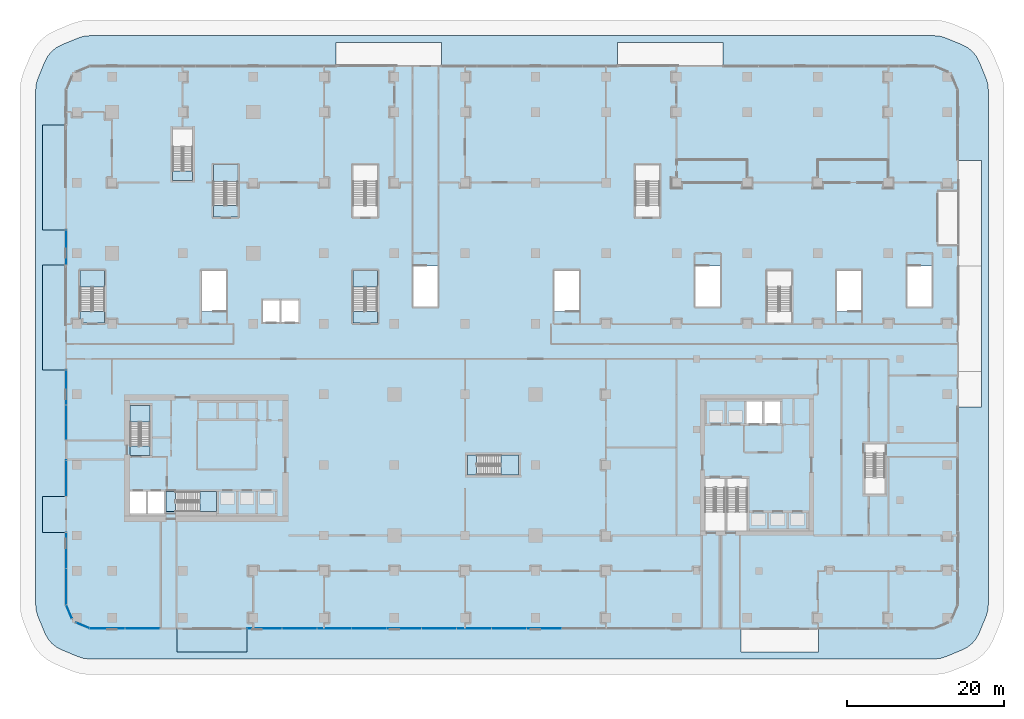
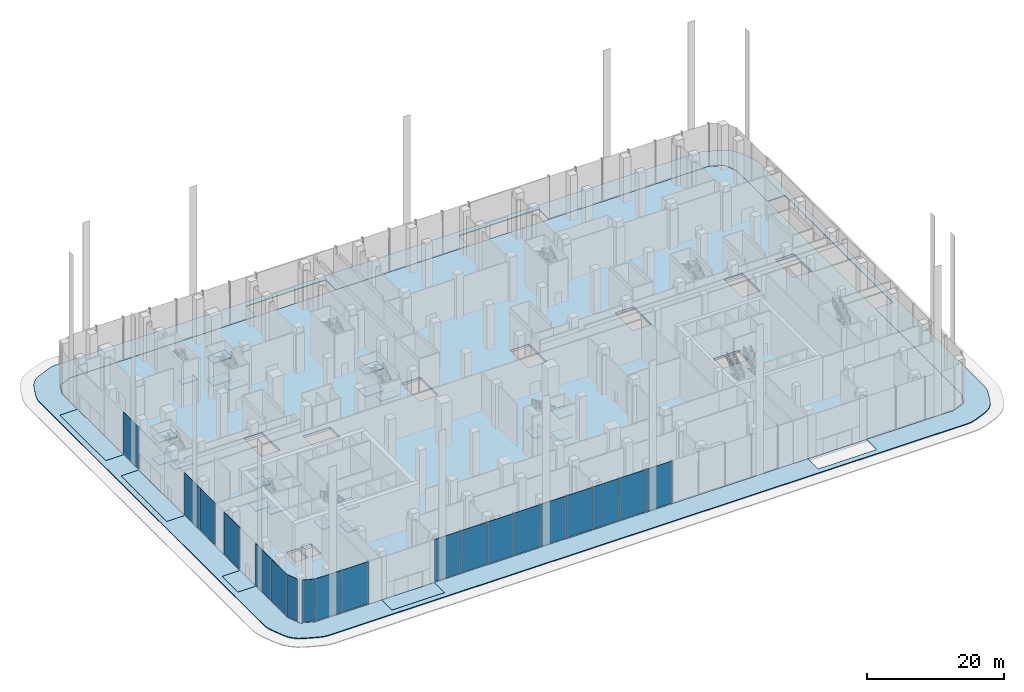
# One storey, part 14 of 42: 25 slabs, 19 plates, 15 elements without a shape of their own.
"""IFC4 building model written with IfcOpenShell, lengths in metres."""

from ifc_helpers import new_model, si_unit, direction, frame, origin, origin_2d, place, context, subcontext, project, spatial, polyline, rectangle, outline, extrude, material, layer, layer_set, type_object, element, aggregate, save


model = new_model("IFC4")

# Units and contexts
model_context = context("Model", 3, precision=1e-05, world=origin(), true_north=direction((0.0, 1.0)))
body_context = subcontext(model_context, "Body", "Model", "MODEL_VIEW")
ifc_project = project(units=[si_unit("LENGTHUNIT", "METRE"), si_unit("AREAUNIT", "SQUARE_METRE"), si_unit("VOLUMEUNIT", "CUBIC_METRE"), si_unit("PLANEANGLEUNIT", "RADIAN"), si_unit("MASSUNIT", "GRAM", prefix="KILO")], contexts=[model_context])

# Site, building, storey
site_placement = place(None, origin())
site = spatial("IfcSite", under=ifc_project, at=site_placement, CompositionType="ELEMENT")
building_placement = place(site_placement, origin())
building = spatial("IfcBuilding", under=site, at=building_placement, Name="Plateau Cross Towers", CompositionType="ELEMENT")
storey_placement = place(building_placement, origin())
storey = spatial("IfcBuildingStorey", under=building, at=storey_placement, Name="L00", CompositionType="ELEMENT", Elevation=0.0)

# Slabs
ifc_material_1 = material(Name="Concrete C30/37", Category="concrete")
ifc_layer_1 = layer(ifc_material_1, 0.14990234375)
ifc_layer_set_1 = layer_set([ifc_layer_1], Name="Concrete C30/37")
slab_type_1 = type_object("IfcSlabType", Name="Entrance apron paving 150", PredefinedType="FLOOR", material=ifc_layer_set_1)
slab_1_placement = place(storey_placement, frame((0.0, 0.0, -0.14990234375)))
element("IfcSlab", 1, at=slab_1_placement, inside=storey, type_object=slab_type_1, Name="Entrance apron station-W1", PredefinedType="FLOOR", context=body_context, shape_type="SweptSolid", body=[
    extrude(outline(polyline([(-5.85009765625, 34.52490234375), (-5.85009765625, 21.1298828125), (-8.85009765625, 21.1298828125), (-8.85009765625, 34.52490234375), (-5.85009765625, 34.52490234375)])), origin(), (0.0, 0.0, 1.0), 0.14990234375),
])
slab_2_placement = place(storey_placement, frame((0.0, 0.0, -0.14990234375)))
element("IfcSlab", 2, at=slab_2_placement, inside=storey, type_object=slab_type_1, Name="Entrance apron station-W2", PredefinedType="FLOOR", context=body_context, shape_type="SweptSolid", body=[
    extrude(outline(polyline([(-5.85009765625, 52.385009765625), (-5.85009765625, 38.989990234375), (-8.85009765625, 38.989990234375), (-8.85009765625, 52.385009765625), (-5.85009765625, 52.385009765625)])), origin(), (0.0, 0.0, 1.0), 0.14990234375),
])
slab_3_placement = place(storey_placement, frame((0.0, 0.0, -0.14990234375)))
element("IfcSlab", 3, at=slab_3_placement, inside=storey, type_object=slab_type_1, Name="Entrance apron lobby-A", PredefinedType="FLOOR", context=body_context, shape_type="SweptSolid", body=[
    extrude(outline(polyline([(8.300048828125, -11.85009765625), (17.206787109375, -11.85009765625), (17.206787109375, -14.85009765625), (8.300048828125, -14.85009765625), (8.300048828125, -11.85009765625)])), origin(), (0.0, 0.0, 1.0), 0.14990234375),
])
slab_4_placement = place(storey_placement, frame((0.0, 0.0, -0.14990234375)))
element("IfcSlab", 4, at=slab_4_placement, inside=storey, type_object=slab_type_1, Name="Entrance apron cycle-W", PredefinedType="FLOOR", context=body_context, shape_type="SweptSolid", body=[
    extrude(outline(polyline([(-5.85009765625, 4.987548828125), (-5.85009765625, 0.375), (-8.85009765625, 0.375), (-8.85009765625, 4.987548828125), (-5.85009765625, 4.987548828125)])), origin(), (0.0, 0.0, 1.0), 0.14990234375),
])

# Curtain wall, plates
ifc_material_2 = material(Name="Dark low-iron laminated glass", Category="glass")
ifc_layer_2 = layer(ifc_material_2, 0.300048828125)
ifc_layer_set_2 = layer_set([ifc_layer_2], Name="Dark low-iron laminated glass")
curtain_wall_type = type_object("IfcCurtainWallType", Name="Curtain wall structural silicone CW-C", PredefinedType="NOTDEFINED", material=ifc_layer_set_2)
curtain_wall_1_placement = place(storey_placement, origin())
curtain_wall_1 = element("IfcCurtainWall", 5, at=curtain_wall_1_placement, inside=storey, type_object=curtain_wall_type, Name="ENV/P/L00/P-28_-118", PredefinedType="NOTDEFINED")
ifc_layer_3 = layer(ifc_material_2, 0.0439453125)
ifc_layer_set_3 = layer_set([ifc_layer_3], Name="Dark low-iron laminated glass")
plate_type = type_object("IfcPlateType", Name="Glass panel 44 structural silicone", PredefinedType="CURTAIN_PANEL", material=ifc_layer_set_3)
plate_1_placement = place(storey_placement, frame((-0.612548828125, -11.85009765625, 0.14990234375), z_axis=(0.0, 0.0, 1.0), x_axis=(1.0, 0.0, 0.0)))
plate_1 = element("IfcPlate", 6, at=plate_1_placement, type_object=plate_type, Name="CW-C panel 1", PredefinedType="CURTAIN_PANEL", context=body_context, shape_type="SweptSolid", body=[
    extrude(rectangle(XDim=4.425048828125, YDim=0.0439453125, at=origin_2d()), origin(), (0.0, 0.0, 1.0), 7.5),
])
plate_2_placement = place(storey_placement, frame((3.862548828125, -11.85009765625, 0.14990234375), z_axis=(0.0, 0.0, 1.0), x_axis=(1.0, 0.0, 0.0)))
plate_2 = element("IfcPlate", 7, at=plate_2_placement, type_object=plate_type, Name="CW-C panel 2", PredefinedType="CURTAIN_PANEL", context=body_context, shape_type="SweptSolid", body=[
    extrude(rectangle(XDim=4.425048828125, YDim=0.0439453125, at=origin_2d()), origin(), (0.0, 0.0, 1.0), 7.5),
])
aggregate(curtain_wall_1, [plate_1, plate_2])

curtain_wall_2_placement = place(storey_placement, origin())
curtain_wall_2 = element("IfcCurtainWall", 8, at=curtain_wall_2_placement, inside=storey, type_object=curtain_wall_type, Name="ENV/P/L00/P172_-118", PredefinedType="NOTDEFINED")
plate_3_placement = place(storey_placement, frame((19.433349609375, -11.85009765625, 0.14990234375), z_axis=(0.0, 0.0, 1.0), x_axis=(1.0, 0.0, 0.0)))
plate_3 = element("IfcPlate", 9, at=plate_3_placement, type_object=plate_type, Name="CW-C panel 1", PredefinedType="CURTAIN_PANEL", context=body_context, shape_type="SweptSolid", body=[
    extrude(rectangle(XDim=4.4033203125, YDim=0.0439453125, at=origin_2d()), origin(), (0.0, 0.0, 1.0), 7.5),
])
plate_4_placement = place(storey_placement, frame((23.88671875, -11.85009765625, 0.14990234375), z_axis=(0.0, 0.0, 1.0), x_axis=(1.0, 0.0, 0.0)))
plate_4 = element("IfcPlate", 10, at=plate_4_placement, type_object=plate_type, Name="CW-C panel 2", PredefinedType="CURTAIN_PANEL", context=body_context, shape_type="SweptSolid", body=[
    extrude(rectangle(XDim=4.4033203125, YDim=0.0439453125, at=origin_2d()), origin(), (0.0, 0.0, 1.0), 7.5),
])
plate_5_placement = place(storey_placement, frame((28.340087890625, -11.85009765625, 0.14990234375), z_axis=(0.0, 0.0, 1.0), x_axis=(1.0, 0.0, 0.0)))
plate_5 = element("IfcPlate", 11, at=plate_5_placement, type_object=plate_type, Name="CW-C panel 3", PredefinedType="CURTAIN_PANEL", context=body_context, shape_type="SweptSolid", body=[
    extrude(rectangle(XDim=4.4033203125, YDim=0.0439453125, at=origin_2d()), origin(), (0.0, 0.0, 1.0), 7.5),
])
plate_6_placement = place(storey_placement, frame((32.793212890625, -11.85009765625, 0.14990234375), z_axis=(0.0, 0.0, 1.0), x_axis=(1.0, 0.0, 0.0)))
plate_6 = element("IfcPlate", 12, at=plate_6_placement, type_object=plate_type, Name="CW-C panel 4", PredefinedType="CURTAIN_PANEL", context=body_context, shape_type="SweptSolid", body=[
    extrude(rectangle(XDim=4.4033203125, YDim=0.0439453125, at=origin_2d()), origin(), (0.0, 0.0, 1.0), 7.5),
])
plate_7_placement = place(storey_placement, frame((37.24658203125, -11.85009765625, 0.14990234375), z_axis=(0.0, 0.0, 1.0), x_axis=(1.0, 0.0, 0.0)))
plate_7 = element("IfcPlate", 13, at=plate_7_placement, type_object=plate_type, Name="CW-C panel 5", PredefinedType="CURTAIN_PANEL", context=body_context, shape_type="SweptSolid", body=[
    extrude(rectangle(XDim=4.4033203125, YDim=0.0439453125, at=origin_2d()), origin(), (0.0, 0.0, 1.0), 7.5),
])
plate_8_placement = place(storey_placement, frame((41.699951171875, -11.85009765625, 0.14990234375), z_axis=(0.0, 0.0, 1.0), x_axis=(1.0, 0.0, 0.0)))
plate_8 = element("IfcPlate", 14, at=plate_8_placement, type_object=plate_type, Name="CW-C panel 6", PredefinedType="CURTAIN_PANEL", context=body_context, shape_type="SweptSolid", body=[
    extrude(rectangle(XDim=4.4033203125, YDim=0.0439453125, at=origin_2d()), origin(), (0.0, 0.0, 1.0), 7.5),
])
plate_9_placement = place(storey_placement, frame((46.1533203125, -11.85009765625, 0.14990234375), z_axis=(0.0, 0.0, 1.0), x_axis=(1.0, 0.0, 0.0)))
plate_9 = element("IfcPlate", 15, at=plate_9_placement, type_object=plate_type, Name="CW-C panel 7", PredefinedType="CURTAIN_PANEL", context=body_context, shape_type="SweptSolid", body=[
    extrude(rectangle(XDim=4.4033203125, YDim=0.0439453125, at=origin_2d()), origin(), (0.0, 0.0, 1.0), 7.5),
])
plate_10_placement = place(storey_placement, frame((50.606689453125, -11.85009765625, 0.14990234375), z_axis=(0.0, 0.0, 1.0), x_axis=(1.0, 0.0, 0.0)))
plate_10 = element("IfcPlate", 16, at=plate_10_placement, type_object=plate_type, Name="CW-C panel 8", PredefinedType="CURTAIN_PANEL", context=body_context, shape_type="SweptSolid", body=[
    extrude(rectangle(XDim=4.4033203125, YDim=0.0439453125, at=origin_2d()), origin(), (0.0, 0.0, 1.0), 7.5),
])
plate_11_placement = place(storey_placement, frame((55.06005859375, -11.85009765625, 0.14990234375), z_axis=(0.0, 0.0, 1.0), x_axis=(1.0, 0.0, 0.0)))
plate_11 = element("IfcPlate", 17, at=plate_11_placement, type_object=plate_type, Name="CW-C panel 9", PredefinedType="CURTAIN_PANEL", context=body_context, shape_type="SweptSolid", body=[
    extrude(rectangle(XDim=4.4033203125, YDim=0.0439453125, at=origin_2d()), origin(), (0.0, 0.0, 1.0), 7.5),
])
aggregate(curtain_wall_2, [plate_3, plate_4, plate_5, plate_6, plate_7, plate_8, plate_9, plate_10, plate_11])

# Curtain wall, plate
curtain_wall_3_placement = place(storey_placement, origin())
curtain_wall_3 = element("IfcCurtainWall", 18, at=curtain_wall_3_placement, inside=storey, type_object=curtain_wall_type, Name="ENV/P/L00/P-58_390", PredefinedType="NOTDEFINED")
plate_12_placement = place(storey_placement, frame((-5.85009765625, 36.757568359375, 0.14990234375), z_axis=(0.0, 0.0, 1.0), x_axis=(0.0, -1.0, 0.0)))
plate_12 = element("IfcPlate", 19, at=plate_12_placement, type_object=plate_type, Name="CW-C panel 1", PredefinedType="CURTAIN_PANEL", context=body_context, shape_type="SweptSolid", body=[
    extrude(rectangle(XDim=4.4150390625, YDim=0.0439453125, at=origin_2d()), origin(), (0.0, 0.0, 1.0), 7.5),
])
aggregate(curtain_wall_3, [plate_12])

# Curtain wall, plates
curtain_wall_4_placement = place(storey_placement, origin())
curtain_wall_4 = element("IfcCurtainWall", 20, at=curtain_wall_4_placement, inside=storey, type_object=curtain_wall_type, Name="ENV/P/L00/P-58_211", PredefinedType="NOTDEFINED")
plate_13_placement = place(storey_placement, frame((-5.85009765625, 18.8974609375, 0.14990234375), z_axis=(0.0, 0.0, 1.0), x_axis=(0.0, -1.0, 0.0)))
plate_13 = element("IfcPlate", 21, at=plate_13_placement, type_object=plate_type, Name="CW-C panel 1", PredefinedType="CURTAIN_PANEL", context=body_context, shape_type="SweptSolid", body=[
    extrude(rectangle(XDim=4.4150390625, YDim=0.0439453125, at=origin_2d()), origin(), (0.0, 0.0, 1.0), 7.5),
])
plate_14_placement = place(storey_placement, frame((-5.85009765625, 14.4326171875, 0.14990234375), z_axis=(0.0, 0.0, 1.0), x_axis=(0.0, -1.0, 0.0)))
plate_14 = element("IfcPlate", 22, at=plate_14_placement, type_object=plate_type, Name="CW-C panel 2", PredefinedType="CURTAIN_PANEL", context=body_context, shape_type="SweptSolid", body=[
    extrude(rectangle(XDim=4.4150390625, YDim=0.0439453125, at=origin_2d()), origin(), (0.0, 0.0, 1.0), 7.5),
])
aggregate(curtain_wall_4, [plate_13, plate_14])

# Curtain wall, plate
curtain_wall_5_placement = place(storey_placement, origin())
curtain_wall_5 = element("IfcCurtainWall", 23, at=curtain_wall_5_placement, inside=storey, type_object=curtain_wall_type, Name="ENV/P/L00/P-58_96", PredefinedType="NOTDEFINED")
plate_15_placement = place(storey_placement, frame((-5.85009765625, 7.293701171875, 0.14990234375), z_axis=(0.0, 0.0, 1.0), x_axis=(0.0, -1.0, 0.0)))
plate_15 = element("IfcPlate", 24, at=plate_15_placement, type_object=plate_type, Name="CW-C panel 1", PredefinedType="CURTAIN_PANEL", context=body_context, shape_type="SweptSolid", body=[
    extrude(rectangle(XDim=4.5625, YDim=0.0439453125, at=origin_2d()), origin(), (0.0, 0.0, 1.0), 7.5),
])
aggregate(curtain_wall_5, [plate_15])

# Curtain wall, plates
curtain_wall_6_placement = place(storey_placement, origin())
curtain_wall_6 = element("IfcCurtainWall", 25, at=curtain_wall_6_placement, inside=storey, type_object=curtain_wall_type, Name="ENV/P/L00/P-58_4", PredefinedType="NOTDEFINED")
plate_16_placement = place(storey_placement, frame((-5.85009765625, -1.93115234375, 0.14990234375), z_axis=(0.0, 0.0, 1.0), x_axis=(0.0, -1.0, 0.0)))
plate_16 = element("IfcPlate", 26, at=plate_16_placement, type_object=plate_type, Name="CW-C panel 1", PredefinedType="CURTAIN_PANEL", context=body_context, shape_type="SweptSolid", body=[
    extrude(rectangle(XDim=4.5625, YDim=0.0439453125, at=origin_2d()), origin(), (0.0, 0.0, 1.0), 7.5),
])
plate_17_placement = place(storey_placement, frame((-5.85009765625, -6.543701171875, 0.14990234375), z_axis=(0.0, 0.0, 1.0), x_axis=(0.0, -1.0, 0.0)))
plate_17 = element("IfcPlate", 27, at=plate_17_placement, type_object=plate_type, Name="CW-C panel 2", PredefinedType="CURTAIN_PANEL", context=body_context, shape_type="SweptSolid", body=[
    extrude(rectangle(XDim=4.5625, YDim=0.0439453125, at=origin_2d()), origin(), (0.0, 0.0, 1.0), 7.5),
])
aggregate(curtain_wall_6, [plate_16, plate_17])

# Curtain wall, plate
curtain_wall_7_placement = place(storey_placement, origin())
curtain_wall_7 = element("IfcCurtainWall", 28, at=curtain_wall_7_placement, inside=storey, type_object=curtain_wall_type, Name="ENV/P/L00/P-58_-88", PredefinedType="NOTDEFINED")
plate_18_placement = place(storey_placement, frame((-5.485107421875, -9.731201171875, 0.14990234375), z_axis=(0.0, 0.0, 1.0), x_axis=(0.382683612978, -0.923879457699, 0.0)))
plate_18 = element("IfcPlate", 29, at=plate_18_placement, type_object=plate_type, Name="CW-C panel 1", PredefinedType="CURTAIN_PANEL", context=body_context, shape_type="SweptSolid", body=[
    extrude(rectangle(XDim=1.857666015625, YDim=0.0439453125, at=origin_2d()), origin(), (0.0, 0.0, 1.0), 7.5),
])
aggregate(curtain_wall_7, [plate_18])

curtain_wall_8_placement = place(storey_placement, origin())
curtain_wall_8 = element("IfcCurtainWall", 30, at=curtain_wall_8_placement, inside=storey, type_object=curtain_wall_type, Name="ENV/P/L00/P-46_-111", PredefinedType="NOTDEFINED")
plate_19_placement = place(storey_placement, frame((-3.731201171875, -11.485107421875, 0.14990234375), z_axis=(0.0, 0.0, 1.0), x_axis=(0.923879457699, -0.382683612978, 0.0)))
plate_19 = element("IfcPlate", 31, at=plate_19_placement, type_object=plate_type, Name="CW-C panel 1", PredefinedType="CURTAIN_PANEL", context=body_context, shape_type="SweptSolid", body=[
    extrude(rectangle(XDim=1.857666015625, YDim=0.0439453125, at=origin_2d()), origin(), (0.0, 0.0, 1.0), 7.5),
])
aggregate(curtain_wall_8, [plate_19])

# Slabs
ifc_layer_4 = layer(ifc_material_1, 0.14990234375)
ifc_layer_set_4 = layer_set([ifc_layer_4], Name="Concrete C30/37")
slab_type_2 = type_object("IfcSlabType", Name="Plaza paving 150", PredefinedType="FLOOR", material=ifc_layer_set_4)
slab_5_placement = place(storey_placement, frame((0.0, 0.0, -0.14990234375)))
element("IfcSlab", 32, at=slab_5_placement, inside=storey, type_object=slab_type_2, Name="Plaza paving 1", PredefinedType="FLOOR", context=body_context, shape_type="SweptSolid", body=[
    extrude(outline(polyline([(-7.137939453125, -14.214111328125), (-7.72900390625, -13.72900390625), (-8.214111328125, -13.137939453125), (-8.574462890625, -12.4638671875), (-9.453125, -10.342529296875), (-9.675048828125, -9.61083984375), (-9.75, -8.85009765625), (-9.75, 56.85009765625), (-9.675048828125, 57.61083984375), (-9.453125, 58.342529296875), (-8.574462890625, 60.4638671875), (-8.214111328125, 61.137939453125), (-7.72900390625, 61.72900390625), (-7.137939453125, 62.214111328125), (-6.4638671875, 62.574462890625), (-4.342529296875, 63.453125), (-3.61083984375, 63.675048828125), (-2.85009765625, 63.75), (104.85009765625, 63.75), (105.61083984375, 63.675048828125), (106.342529296875, 63.453125), (108.4638671875, 62.574462890625), (109.137939453125, 62.214111328125), (109.72900390625, 61.72900390625), (110.214111328125, 61.137939453125), (110.574462890625, 60.4638671875), (111.453125, 58.342529296875), (111.675048828125, 57.61083984375), (111.75, 56.85009765625), (111.75, -8.85009765625), (111.675048828125, -9.61083984375), (111.453125, -10.342529296875), (110.574462890625, -12.4638671875), (110.214111328125, -13.137939453125), (109.72900390625, -13.72900390625), (109.137939453125, -14.214111328125), (108.4638671875, -14.574462890625), (106.342529296875, -15.453125), (105.61083984375, -15.675048828125), (104.85009765625, -15.75), (-2.85009765625, -15.75), (-3.61083984375, -15.675048828125), (-4.342529296875, -15.453125), (-6.4638671875, -14.574462890625), (-7.137939453125, -14.214111328125)]), holes=[polyline([(106.971435546875, -10.971435546875), (107.85009765625, -8.85009765625), (107.85009765625, 16.39501953125), (110.85009765625, 16.39501953125), (110.85009765625, 47.860107421875), (107.85009765625, 47.860107421875), (107.85009765625, 56.85009765625), (106.971435546875, 58.971435546875), (104.85009765625, 59.85009765625), (77.925048828125, 59.85009765625), (77.925048828125, 62.85009765625), (64.46240234375, 62.85009765625), (64.46240234375, 59.85009765625), (42.02490234375, 59.85009765625), (42.02490234375, 62.85009765625), (28.5625, 62.85009765625), (28.5625, 59.85009765625), (-2.85009765625, 59.85009765625), (-4.971435546875, 58.971435546875), (-5.85009765625, 56.85009765625), (-5.85009765625, 52.385009765625), (-8.85009765625, 52.385009765625), (-8.85009765625, 38.989990234375), (-5.85009765625, 38.989990234375), (-5.85009765625, 34.52490234375), (-8.85009765625, 34.52490234375), (-8.85009765625, 21.1298828125), (-5.85009765625, 21.1298828125), (-5.85009765625, 4.987548828125), (-8.85009765625, 4.987548828125), (-8.85009765625, 0.375), (-5.85009765625, 0.375), (-5.85009765625, -8.85009765625), (-4.971435546875, -10.971435546875), (-2.85009765625, -11.85009765625), (8.300048828125, -11.85009765625), (8.300048828125, -14.85009765625), (17.206787109375, -14.85009765625), (17.206787109375, -11.85009765625), (80.199951171875, -11.85009765625), (80.199951171875, -14.85009765625), (90.06005859375, -14.85009765625), (90.06005859375, -11.85009765625), (104.85009765625, -11.85009765625), (106.971435546875, -10.971435546875)])]), origin(), (0.0, 0.0, 1.0), 0.14990234375),
])
ifc_material_3 = material(Name="Concrete C40/50", Category="concrete")
ifc_layer_5 = layer(ifc_material_3, 0.449951171875)
ifc_layer_set_5 = layer_set([ifc_layer_5], Name="Concrete C40/50")
slab_type_3 = type_object("IfcSlabType", Name="Post-tensioned flat plate slab 450", PredefinedType="FLOOR", material=ifc_layer_set_5)
slab_6_placement = place(storey_placement, frame((0.0, 0.0, -0.449951171875)))
element("IfcSlab", 33, at=slab_6_placement, inside=storey, type_object=slab_type_3, Name="SL-P-L00", PredefinedType="FLOOR", context=body_context, shape_type="SweptSolid", body=[
    extrude(outline(polyline([(-4.971435546875, -10.971435546875), (-5.85009765625, -8.85009765625), (-5.85009765625, 56.85009765625), (-4.971435546875, 58.971435546875), (-2.85009765625, 59.85009765625), (104.85009765625, 59.85009765625), (106.971435546875, 58.971435546875), (107.85009765625, 56.85009765625), (107.85009765625, -8.85009765625), (106.971435546875, -10.971435546875), (104.85009765625, -11.85009765625), (-2.85009765625, -11.85009765625), (-4.971435546875, -10.971435546875)]), holes=[polyline([(4.300048828125, 5.60009765625), (2.300048828125, 5.60009765625), (2.300048828125, 2.800048828125), (4.300048828125, 2.800048828125), (4.300048828125, 5.60009765625)]), polyline([(6.60009765625, 5.60009765625), (4.60009765625, 5.60009765625), (4.60009765625, 2.800048828125), (6.60009765625, 2.800048828125), (6.60009765625, 5.60009765625)]), polyline([(19.199951171875, 30.0), (19.199951171875, 27.199951171875), (23.800048828125, 27.199951171875), (23.800048828125, 30.0), (19.199951171875, 30.0)]), polyline([(14.550048828125, 33.800048828125), (11.39990234375, 33.800048828125), (11.39990234375, 28.60009765625), (14.550048828125, 28.60009765625), (14.550048828125, 33.800048828125)]), polyline([(59.550048828125, 33.800048828125), (56.39990234375, 33.800048828125), (56.39990234375, 28.60009765625), (59.550048828125, 28.60009765625), (59.550048828125, 33.800048828125)]), polyline([(41.550048828125, 29.199951171875), (41.550048828125, 34.39990234375), (38.39990234375, 34.39990234375), (38.39990234375, 29.199951171875), (41.550048828125, 29.199951171875)]), polyline([(82.89990234375, 14.300048828125), (82.89990234375, 17.10009765625), (80.89990234375, 17.10009765625), (80.89990234375, 14.300048828125), (82.89990234375, 14.300048828125)]), polyline([(85.199951171875, 14.300048828125), (85.199951171875, 17.10009765625), (83.199951171875, 17.10009765625), (83.199951171875, 14.300048828125), (85.199951171875, 14.300048828125)]), polyline([(92.39990234375, 33.800048828125), (92.39990234375, 28.60009765625), (95.550048828125, 28.60009765625), (95.550048828125, 33.800048828125), (92.39990234375, 33.800048828125)]), polyline([(74.39990234375, 29.199951171875), (77.550048828125, 29.199951171875), (77.550048828125, 34.39990234375), (74.39990234375, 34.39990234375), (74.39990234375, 29.199951171875)]), polyline([(101.39990234375, 29.199951171875), (104.550048828125, 29.199951171875), (104.550048828125, 34.39990234375), (101.39990234375, 34.39990234375), (101.39990234375, 29.199951171875)])]), origin(), (0.0, 0.0, 1.0), 0.449951171875),
])

# Stair, slabs
stair_type_1 = type_object("IfcStairType", Name="ST-TWR", PredefinedType="HALF_TURN_STAIR", material=ifc_material_3)
stair_1_placement = place(storey_placement, origin())
stair_1 = element("IfcStair", 34, at=stair_1_placement, inside=storey, type_object=stair_type_1, Name="L00 Protected Exit Stair ST-1", PredefinedType="HALF_TURN_STAIR")
ifc_layer_6 = layer(ifc_material_3, 0.199951171875)
ifc_layer_set_6 = layer_set([ifc_layer_6], Name="Concrete C40/50")
slab_type_4 = type_object("IfcSlabType", Name="SL-LANDING", PredefinedType="LANDING", material=ifc_layer_set_6)
slab_7_placement = place(storey_placement, frame((0.0, 0.0, 1.800048828125)))
slab_7 = element("IfcSlab", 35, at=slab_7_placement, type_object=slab_type_4, Name="ST-1 landing 1", PredefinedType="LANDING", context=body_context, shape_type="SweptSolid", body=[
    extrude(outline(polyline([(4.85009765625, 14.47998046875), (4.85009765625, 16.60009765625), (2.300048828125, 16.60009765625), (2.300048828125, 14.47998046875), (4.85009765625, 14.47998046875)])), origin(), (0.0, 0.0, 1.0), 0.199951171875),
])
slab_8_placement = place(storey_placement, frame((0.0, 0.0, 3.800048828125)))
slab_8 = element("IfcSlab", 36, at=slab_8_placement, type_object=slab_type_4, Name="ST-1 landing 2", PredefinedType="LANDING", context=body_context, shape_type="SweptSolid", body=[
    extrude(outline(polyline([(4.85009765625, 10.199951171875), (4.85009765625, 11.39990234375), (2.300048828125, 11.39990234375), (2.300048828125, 10.199951171875), (4.85009765625, 10.199951171875)])), origin(), (0.0, 0.0, 1.0), 0.199951171875),
])
slab_9_placement = place(storey_placement, frame((0.0, 0.0, 5.800048828125)))
slab_9 = element("IfcSlab", 37, at=slab_9_placement, type_object=slab_type_4, Name="ST-1 landing 3", PredefinedType="LANDING", context=body_context, shape_type="SweptSolid", body=[
    extrude(outline(polyline([(4.85009765625, 14.47998046875), (4.85009765625, 16.60009765625), (2.300048828125, 16.60009765625), (2.300048828125, 14.47998046875), (4.85009765625, 14.47998046875)])), origin(), (0.0, 0.0, 1.0), 0.199951171875),
])
aggregate(stair_1, [slab_7, slab_8, slab_9])

stair_2_placement = place(storey_placement, origin())
stair_2 = element("IfcStair", 38, at=stair_2_placement, inside=storey, type_object=stair_type_1, Name="L00 Protected Exit Stair ST-2", PredefinedType="HALF_TURN_STAIR")
slab_10_placement = place(storey_placement, frame((0.0, 0.0, 1.800048828125)))
slab_10 = element("IfcSlab", 39, at=slab_10_placement, type_object=slab_type_4, Name="ST-2 landing 1", PredefinedType="LANDING", context=body_context, shape_type="SweptSolid", body=[
    extrude(outline(polyline([(11.179931640625, 3.050048828125), (13.300048828125, 3.050048828125), (13.300048828125, 5.60009765625), (11.179931640625, 5.60009765625), (11.179931640625, 3.050048828125)])), origin(), (0.0, 0.0, 1.0), 0.199951171875),
])
slab_11_placement = place(storey_placement, frame((0.0, 0.0, 3.800048828125)))
slab_11 = element("IfcSlab", 40, at=slab_11_placement, type_object=slab_type_4, Name="ST-2 landing 2", PredefinedType="LANDING", context=body_context, shape_type="SweptSolid", body=[
    extrude(outline(polyline([(6.89990234375, 3.050048828125), (8.10009765625, 3.050048828125), (8.10009765625, 5.60009765625), (6.89990234375, 5.60009765625), (6.89990234375, 3.050048828125)])), origin(), (0.0, 0.0, 1.0), 0.199951171875),
])
slab_12_placement = place(storey_placement, frame((0.0, 0.0, 5.800048828125)))
slab_12 = element("IfcSlab", 41, at=slab_12_placement, type_object=slab_type_4, Name="ST-2 landing 3", PredefinedType="LANDING", context=body_context, shape_type="SweptSolid", body=[
    extrude(outline(polyline([(11.179931640625, 3.050048828125), (13.300048828125, 3.050048828125), (13.300048828125, 5.60009765625), (11.179931640625, 5.60009765625), (11.179931640625, 3.050048828125)])), origin(), (0.0, 0.0, 1.0), 0.199951171875),
])
aggregate(stair_2, [slab_10, slab_11, slab_12])

stair_3_placement = place(storey_placement, origin())
stair_3 = element("IfcStair", 42, at=stair_3_placement, inside=storey, type_object=stair_type_1, Name="L00 Protected Exit Stair E", PredefinedType="HALF_TURN_STAIR")
slab_13_placement = place(storey_placement, frame((0.0, 0.0, 1.800048828125)))
slab_13 = element("IfcSlab", 43, at=slab_13_placement, type_object=slab_type_4, Name="ES-E landing 1", PredefinedType="LANDING", context=body_context, shape_type="SweptSolid", body=[
    extrude(outline(polyline([(49.580078125, 7.72509765625), (51.85009765625, 7.72509765625), (51.85009765625, 10.27490234375), (49.580078125, 10.27490234375), (49.580078125, 7.72509765625)])), origin(), (0.0, 0.0, 1.0), 0.199951171875),
])
slab_14_placement = place(storey_placement, frame((0.0, 0.0, 3.800048828125)))
slab_14 = element("IfcSlab", 44, at=slab_14_placement, type_object=slab_type_4, Name="ES-E landing 2", PredefinedType="LANDING", context=body_context, shape_type="SweptSolid", body=[
    extrude(outline(polyline([(45.300048828125, 7.72509765625), (46.5, 7.72509765625), (46.5, 10.27490234375), (45.300048828125, 10.27490234375), (45.300048828125, 7.72509765625)])), origin(), (0.0, 0.0, 1.0), 0.199951171875),
])
slab_15_placement = place(storey_placement, frame((0.0, 0.0, 5.800048828125)))
slab_15 = element("IfcSlab", 45, at=slab_15_placement, type_object=slab_type_4, Name="ES-E landing 3", PredefinedType="LANDING", context=body_context, shape_type="SweptSolid", body=[
    extrude(outline(polyline([(49.580078125, 7.72509765625), (51.85009765625, 7.72509765625), (51.85009765625, 10.27490234375), (49.580078125, 10.27490234375), (49.580078125, 7.72509765625)])), origin(), (0.0, 0.0, 1.0), 0.199951171875),
])
aggregate(stair_3, [slab_13, slab_14, slab_15])

# Stair, slab
stair_4_placement = place(storey_placement, origin())
stair_4 = element("IfcStair", 46, at=stair_4_placement, inside=storey, type_object=stair_type_1, Name="L00 Protected Exit Stair N", PredefinedType="HALF_TURN_STAIR")
slab_16_placement = place(storey_placement, frame((0.0, 0.0, 3.800048828125)))
slab_16 = element("IfcSlab", 47, at=slab_16_placement, type_object=slab_type_4, Name="ES-N landing 2", PredefinedType="LANDING", context=body_context, shape_type="SweptSolid", body=[
    extrude(outline(polyline([(10.27490234375, 45.300048828125), (10.27490234375, 46.5), (7.72509765625, 46.5), (7.72509765625, 45.300048828125), (10.27490234375, 45.300048828125)])), origin(), (0.0, 0.0, 1.0), 0.199951171875),
])
aggregate(stair_4, [slab_16])

# Stair, slabs
stair_type_2 = type_object("IfcStairType", Name="Podium exit stair 1500", PredefinedType="HALF_TURN_STAIR", material=ifc_material_3)
stair_5_placement = place(storey_placement, origin())
stair_5 = element("IfcStair", 48, at=stair_5_placement, inside=storey, type_object=stair_type_2, Name="L00 Exit Stair 1", PredefinedType="HALF_TURN_STAIR")
slab_17_placement = place(storey_placement, frame((0.0, 0.0, 1.800048828125)))
slab_17 = element("IfcSlab", 49, at=slab_17_placement, type_object=slab_type_4, Name="PS1 landing 1", PredefinedType="LANDING", context=body_context, shape_type="SweptSolid", body=[
    extrude(outline(polyline([(33.85009765625, 31.679931640625), (33.85009765625, 33.800048828125), (30.699951171875, 33.800048828125), (30.699951171875, 31.679931640625), (33.85009765625, 31.679931640625)])), origin(), (0.0, 0.0, 1.0), 0.199951171875),
])
slab_18_placement = place(storey_placement, frame((0.0, 0.0, 3.800048828125)))
slab_18 = element("IfcSlab", 50, at=slab_18_placement, type_object=slab_type_4, Name="PS1 landing 2", PredefinedType="LANDING", context=body_context, shape_type="SweptSolid", body=[
    extrude(outline(polyline([(33.85009765625, 27.10009765625), (33.85009765625, 28.60009765625), (30.699951171875, 28.60009765625), (30.699951171875, 27.10009765625), (33.85009765625, 27.10009765625)])), origin(), (0.0, 0.0, 1.0), 0.199951171875),
])
slab_19_placement = place(storey_placement, frame((0.0, 0.0, 5.800048828125)))
slab_19 = element("IfcSlab", 51, at=slab_19_placement, type_object=slab_type_4, Name="PS1 landing 3", PredefinedType="LANDING", context=body_context, shape_type="SweptSolid", body=[
    extrude(outline(polyline([(33.85009765625, 31.679931640625), (33.85009765625, 33.800048828125), (30.699951171875, 33.800048828125), (30.699951171875, 31.679931640625), (33.85009765625, 31.679931640625)])), origin(), (0.0, 0.0, 1.0), 0.199951171875),
])
aggregate(stair_5, [slab_17, slab_18, slab_19])

stair_6_placement = place(storey_placement, origin())
stair_6 = element("IfcStair", 52, at=stair_6_placement, inside=storey, type_object=stair_type_2, Name="L00 Exit Stair 4", PredefinedType="HALF_TURN_STAIR")
slab_20_placement = place(storey_placement, frame((0.0, 0.0, 1.800048828125)))
slab_20 = element("IfcSlab", 53, at=slab_20_placement, type_object=slab_type_4, Name="PS4 landing 1", PredefinedType="LANDING", context=body_context, shape_type="SweptSolid", body=[
    extrude(outline(polyline([(-0.949951171875, 31.679931640625), (-0.949951171875, 33.800048828125), (-4.10009765625, 33.800048828125), (-4.10009765625, 31.679931640625), (-0.949951171875, 31.679931640625)])), origin(), (0.0, 0.0, 1.0), 0.199951171875),
])
slab_21_placement = place(storey_placement, frame((0.0, 0.0, 3.800048828125)))
slab_21 = element("IfcSlab", 54, at=slab_21_placement, type_object=slab_type_4, Name="PS4 landing 2", PredefinedType="LANDING", context=body_context, shape_type="SweptSolid", body=[
    extrude(outline(polyline([(-0.949951171875, 27.10009765625), (-0.949951171875, 28.60009765625), (-4.10009765625, 28.60009765625), (-4.10009765625, 27.10009765625), (-0.949951171875, 27.10009765625)])), origin(), (0.0, 0.0, 1.0), 0.199951171875),
])
slab_22_placement = place(storey_placement, frame((0.0, 0.0, 5.800048828125)))
slab_22 = element("IfcSlab", 55, at=slab_22_placement, type_object=slab_type_4, Name="PS4 landing 3", PredefinedType="LANDING", context=body_context, shape_type="SweptSolid", body=[
    extrude(outline(polyline([(-0.949951171875, 31.679931640625), (-0.949951171875, 33.800048828125), (-4.10009765625, 33.800048828125), (-4.10009765625, 31.679931640625), (-0.949951171875, 31.679931640625)])), origin(), (0.0, 0.0, 1.0), 0.199951171875),
])
aggregate(stair_6, [slab_20, slab_21, slab_22])

stair_7_placement = place(storey_placement, origin())
stair_7 = element("IfcStair", 56, at=stair_7_placement, inside=storey, type_object=stair_type_2, Name="L00 Exit Stair 6", PredefinedType="HALF_TURN_STAIR")
slab_23_placement = place(storey_placement, frame((0.0, 0.0, 1.800048828125)))
slab_23 = element("IfcSlab", 57, at=slab_23_placement, type_object=slab_type_4, Name="PS6 landing 1", PredefinedType="LANDING", context=body_context, shape_type="SweptSolid", body=[
    extrude(outline(polyline([(16.050048828125, 45.179931640625), (16.050048828125, 47.300048828125), (12.89990234375, 47.300048828125), (12.89990234375, 45.179931640625), (16.050048828125, 45.179931640625)])), origin(), (0.0, 0.0, 1.0), 0.199951171875),
])
slab_24_placement = place(storey_placement, frame((0.0, 0.0, 3.800048828125)))
slab_24 = element("IfcSlab", 58, at=slab_24_placement, type_object=slab_type_4, Name="PS6 landing 2", PredefinedType="LANDING", context=body_context, shape_type="SweptSolid", body=[
    extrude(outline(polyline([(16.050048828125, 40.60009765625), (16.050048828125, 42.10009765625), (12.89990234375, 42.10009765625), (12.89990234375, 40.60009765625), (16.050048828125, 40.60009765625)])), origin(), (0.0, 0.0, 1.0), 0.199951171875),
])
slab_25_placement = place(storey_placement, frame((0.0, 0.0, 5.800048828125)))
slab_25 = element("IfcSlab", 59, at=slab_25_placement, type_object=slab_type_4, Name="PS6 landing 3", PredefinedType="LANDING", context=body_context, shape_type="SweptSolid", body=[
    extrude(outline(polyline([(16.050048828125, 45.179931640625), (16.050048828125, 47.300048828125), (12.89990234375, 47.300048828125), (12.89990234375, 45.179931640625), (16.050048828125, 45.179931640625)])), origin(), (0.0, 0.0, 1.0), 0.199951171875),
])
aggregate(stair_7, [slab_23, slab_24, slab_25])

save(model, "model.ifc")
